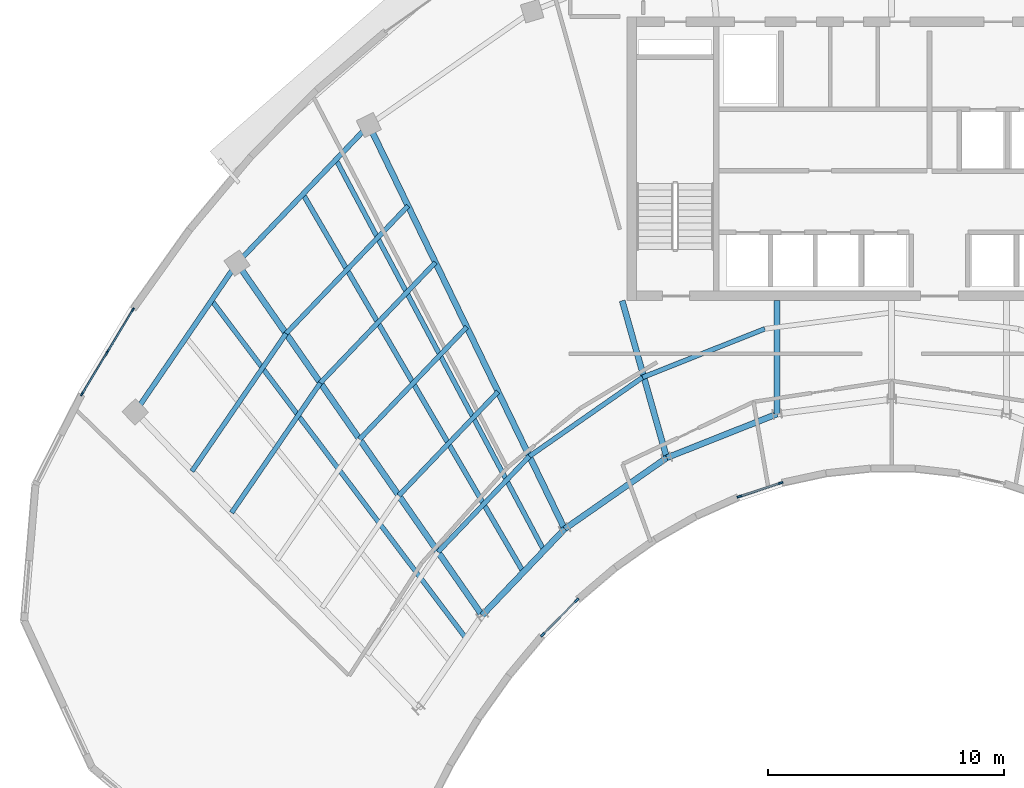
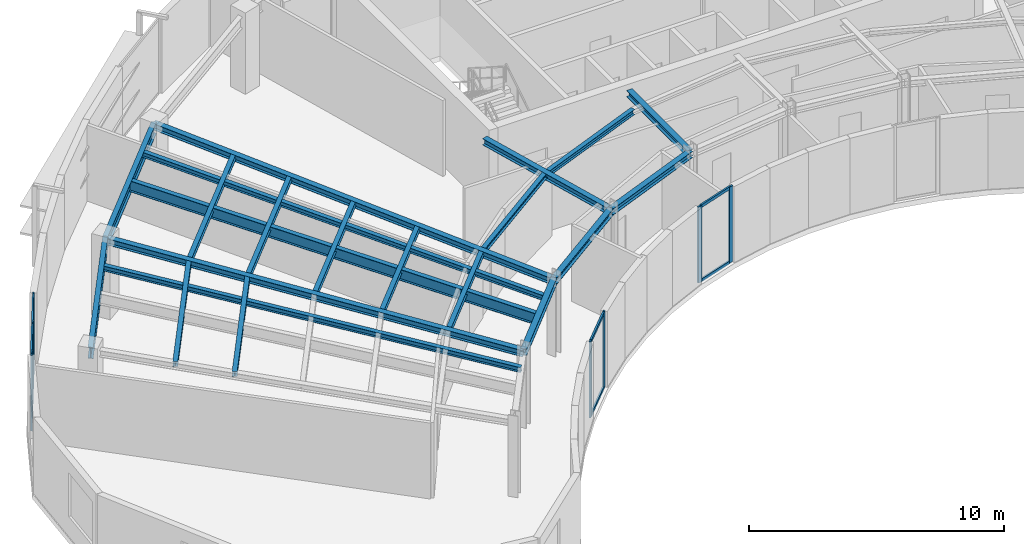
# One storey, part 2 of 13: 21 beams, 17 members, 3 elements without a shape of their own.
"""IFC4 building model written with IfcOpenShell, lengths in metres."""

from ifc_helpers import new_model, si_unit, direction, frame, origin, origin_2d, place, context, subcontext, project, spatial, rectangle, i_section, extrude, source, transform, mapped, material, layer, layer_set, material_profile, profile_set, type_object, type_shapes, element, aggregate, save


model = new_model("IFC4")

# Units and contexts
model_context = context("Model", 3, precision=1e-05, world=origin(), true_north=direction((0.0, 1.0)))
body_context = subcontext(model_context, "Body", "Model", "MODEL_VIEW")
ifc_project = project(units=[si_unit("LENGTHUNIT", "METRE"), si_unit("AREAUNIT", "SQUARE_METRE"), si_unit("VOLUMEUNIT", "CUBIC_METRE"), si_unit("PLANEANGLEUNIT", "RADIAN"), si_unit("MASSUNIT", "GRAM", prefix="KILO")], contexts=[model_context])

# Site, building, storey
site_placement = place(None, origin())
site = spatial("IfcSite", under=ifc_project, at=site_placement, CompositionType="ELEMENT")
building_placement = place(site_placement, origin())
building = spatial("IfcBuilding", under=site, at=building_placement, Name="Breltana Convention Tower", CompositionType="ELEMENT")
storey_placement = place(building_placement, frame((0.0, 0.0, 271.800048828125)))
storey = spatial("IfcBuildingStorey", under=building, at=storey_placement, Name="L66", CompositionType="ELEMENT", Elevation=271.800048828125)

# Beams
ifc_material_1 = material(Name="Steel ASTM A992 Grade 50", Category="steel")
ifc_material_profile_1 = material_profile(ifc_material_1, i_section(OverallWidth=0.201904296875, OverallDepth=0.2470703125, WebThickness=0.00732421875, FlangeThickness=0.010986328125, at=origin_2d()), Name="W10X33")
ifc_profile_set_1 = profile_set([ifc_material_profile_1], Name="Steel ASTM A992 Grade 50")
beam_type_1 = type_object("IfcBeamType", Name="BM-JSG-11", PredefinedType="JOIST", material=ifc_profile_set_1)
shared_shape_1 = source(origin(), body_context, "Body", "SweptSolid", [
    extrude(i_section(OverallWidth=0.201904296875, OverallDepth=0.2470703125, WebThickness=0.00732421875, FlangeThickness=0.010986328125, at=origin_2d()), origin(), (0.0, 0.0, 1.0), 6.654541015625),
])
beam_1_placement = place(storey_placement, frame((20.0791015625, 51.23095703125, 3.516357421875), z_axis=(0.564482668195, 0.82544492082, 0.0), x_axis=(-0.82544492082, 0.564482668195, 0.0)))
element("IfcBeam", 1, at=beam_1_placement, inside=storey, type_object=beam_type_1, Name="L66 Composite Floor Joist 01.4", PredefinedType="JOIST", context=body_context, shape_type="MappedRepresentation", body=[
    mapped(shared_shape_1, transform((0.0, 0.0, 0.0), scale=1.0)),
])
shared_shape_2 = source(origin(), body_context, "Body", "SweptSolid", [
    extrude(i_section(OverallWidth=0.201904296875, OverallDepth=0.2470703125, WebThickness=0.00732421875, FlangeThickness=0.010986328125, at=origin_2d()), origin(), (0.0, 0.0, 1.0), 17.9072265625),
])
beam_2_placement = place(storey_placement, frame((30.00390625, 45.907958984375, 3.516357421875), z_axis=(-0.601382105028, 0.798961553363, 0.0), x_axis=(-0.798961553363, -0.601382105028, 0.0)))
element("IfcBeam", 2, at=beam_2_placement, inside=storey, type_object=beam_type_1, Name="L66 Quarter-Bay Radial Trimmer 01", PredefinedType="JOIST", context=body_context, shape_type="MappedRepresentation", body=[
    mapped(shared_shape_2, transform((0.0, 0.0, 0.0), scale=1.0)),
])
shared_shape_3 = source(origin(), body_context, "Body", "SweptSolid", [
    extrude(i_section(OverallWidth=0.201904296875, OverallDepth=0.2470703125, WebThickness=0.00732421875, FlangeThickness=0.010986328125, at=origin_2d()), origin(), (0.0, 0.0, 1.0), 7.046142578125),
])
beam_3_placement = place(storey_placement, frame((23.83544921875, 56.723876953125, 3.516357421875), z_axis=(0.690722929904, 0.723119515782, 0.0), x_axis=(-0.723119515782, 0.690722929904, 0.0)))
element("IfcBeam", 3, at=beam_3_placement, inside=storey, type_object=beam_type_1, Name="L66 Composite Floor Joist 02.4", PredefinedType="JOIST", context=body_context, shape_type="MappedRepresentation", body=[
    mapped(shared_shape_3, transform((0.0, 0.0, 0.0), scale=1.0)),
])
ifc_material_profile_2 = material_profile(ifc_material_1, i_section(OverallWidth=0.2099609375, OverallDepth=0.537109375, WebThickness=0.010986328125, FlangeThickness=0.017333984375, at=origin_2d()), Name="W21X68")
ifc_profile_set_2 = profile_set([ifc_material_profile_2], Name="Steel ASTM A992 Grade 50")
beam_type_2 = type_object("IfcBeamType", Name="BM-JSG-04", PredefinedType="JOIST", material=ifc_profile_set_2)
shared_shape_4 = source(origin(), body_context, "Body", "SweptSolid", [
    extrude(i_section(OverallWidth=0.2099609375, OverallDepth=0.537109375, WebThickness=0.010986328125, FlangeThickness=0.017333984375, at=origin_2d()), origin(), (0.0, 0.0, 1.0), 18.50830078125),
])
beam_4_placement = place(storey_placement, frame((32.421630859375, 48.71875, 3.371337890625), z_axis=(-0.50368319637, 0.863888440537, 0.0), x_axis=(-0.863888440537, -0.50368319637, 0.0)))
element("IfcBeam", 4, at=beam_4_placement, inside=storey, type_object=beam_type_2, Name="L66 Mid-Bay Radial Trimmer 02", PredefinedType="JOIST", context=body_context, shape_type="MappedRepresentation", body=[
    mapped(shared_shape_4, transform((0.0, 0.0, 0.0), scale=1.0)),
])
shared_shape_5 = source(origin(), body_context, "Body", "SweptSolid", [
    extrude(i_section(OverallWidth=0.201904296875, OverallDepth=0.2470703125, WebThickness=0.00732421875, FlangeThickness=0.010986328125, at=origin_2d()), origin(), (0.0, 0.0, 1.0), 18.731689453125),
])
beam_5_placement = place(storey_placement, frame((33.2939453125, 49.6318359375, 3.516357421875), z_axis=(-0.469820250451, 0.882762104004, 0.0), x_axis=(-0.882762104004, -0.469820250451, 0.0)))
element("IfcBeam", 5, at=beam_5_placement, inside=storey, type_object=beam_type_1, Name="L66 Quarter-Bay Radial Trimmer 02", PredefinedType="JOIST", context=body_context, shape_type="MappedRepresentation", body=[
    mapped(shared_shape_5, transform((0.0, 0.0, 0.0), scale=1.0)),
])
ifc_material_profile_3 = material_profile(ifc_material_1, i_section(OverallWidth=0.214111328125, OverallDepth=0.549072265625, WebThickness=0.0146484375, FlangeThickness=0.023681640625, at=origin_2d()), Name="W21X93")
ifc_profile_set_3 = profile_set([ifc_material_profile_3], Name="Steel ASTM A992 Grade 50")
beam_type_3 = type_object("IfcBeamType", Name="BM-SP-W21X93", PredefinedType="SPANDREL", material=ifc_profile_set_3)
shared_shape_6 = source(origin(), body_context, "Body", "SweptSolid", [
    extrude(i_section(OverallWidth=0.214111328125, OverallDepth=0.549072265625, WebThickness=0.0146484375, FlangeThickness=0.023681640625, at=origin_2d()), origin(), (0.0, 0.0, 1.0), 7.625),
])
type_shapes(beam_type_3, [shared_shape_6])
beam_6_placement = place(storey_placement, frame((16.0068359375, 55.494384765625, 3.365478515625), z_axis=(0.564452031902, 0.825465870694, 0.0), x_axis=(-0.825465870694, 0.564452031902, 0.0)))
element("IfcBeam", 6, at=beam_6_placement, inside=storey, type_object=beam_type_3, Name="L66 Outer Spandrel Beam 01", PredefinedType="SPANDREL", context=body_context, shape_type="MappedRepresentation", body=[
    mapped(shared_shape_6, transform((0.0, 0.0, 0.0), scale=1.0)),
])
shared_shape_7 = source(origin(), body_context, "Body", "SweptSolid", [
    extrude(i_section(OverallWidth=0.214111328125, OverallDepth=0.549072265625, WebThickness=0.0146484375, FlangeThickness=0.023681640625, at=origin_2d()), origin(), (0.0, 0.0, 1.0), 8.073974609375),
])
beam_7_placement = place(storey_placement, frame((20.310791015625, 61.78857421875, 3.365478515625), z_axis=(0.69072885448, 0.723113856588, 0.0), x_axis=(-0.723113856588, 0.69072885448, 0.0)))
element("IfcBeam", 7, at=beam_7_placement, inside=storey, type_object=beam_type_3, Name="L66 Outer Spandrel Beam 02", PredefinedType="SPANDREL", context=body_context, shape_type="MappedRepresentation", body=[
    mapped(shared_shape_7, transform((0.0, 0.0, 0.0), scale=1.0)),
])
ifc_material_profile_4 = material_profile(ifc_material_1, i_section(OverallWidth=0.25390625, OverallDepth=0.305908203125, WebThickness=0.0087890625, FlangeThickness=0.0146484375, at=origin_2d()), Name="W12X53")
ifc_profile_set_4 = profile_set([ifc_material_profile_4], Name="Steel ASTM A992 Grade 50")
beam_type_4 = type_object("IfcBeamType", Name="BM-CN-W12X53", PredefinedType="BEAM", material=ifc_profile_set_4)
shared_shape_8 = source(origin(), body_context, "Body", "SweptSolid", [
    extrude(i_section(OverallWidth=0.25390625, OverallDepth=0.305908203125, WebThickness=0.0087890625, FlangeThickness=0.0146484375, at=origin_2d()), origin(), (0.0, 0.0, 1.0), 18.1484375),
])
beam_8_placement = place(storey_placement, frame((30.67724609375, 46.892333984375, 3.487060546875), z_axis=(-0.571207556098, 0.820805657788, 0.0), x_axis=(-0.820805657788, -0.571207556098, 0.0)))
element("IfcBeam", 8, at=beam_8_placement, inside=storey, type_object=beam_type_4, Name="L66 Radial Floor Girder R02", PredefinedType="BEAM", context=body_context, shape_type="MappedRepresentation", body=[
    mapped(shared_shape_8, transform((0.0, 0.0, 0.0), scale=1.0)),
])
shared_shape_9 = source(origin(), body_context, "Body", "SweptSolid", [
    extrude(i_section(OverallWidth=0.25390625, OverallDepth=0.305908203125, WebThickness=0.0087890625, FlangeThickness=0.0146484375, at=origin_2d()), origin(), (0.0, 0.0, 1.0), 18.982421875),
])
beam_9_placement = place(storey_placement, frame((34.166259765625, 50.544921875, 3.487060546875), z_axis=(-0.436118560343, 0.89988921614, 0.0), x_axis=(-0.89988921614, -0.436118560343, 0.0)))
element("IfcBeam", 9, at=beam_9_placement, inside=storey, type_object=beam_type_4, Name="L66 Radial Floor Girder R03", PredefinedType="BEAM", context=body_context, shape_type="MappedRepresentation", body=[
    mapped(shared_shape_9, transform((0.0, 0.0, 0.0), scale=1.0)),
])
shared_shape_10 = source(origin(), body_context, "Body", "SweptSolid", [
    extrude(i_section(OverallWidth=0.25390625, OverallDepth=0.305908203125, WebThickness=0.0087890625, FlangeThickness=0.0146484375, at=origin_2d()), origin(), (0.0, 0.0, 1.0), 6.904541015625),
])
beam_10_placement = place(storey_placement, frame((36.60009765625, 60.199951171875, 3.487060546875), z_axis=(0.273006781054, -0.962012108811, 0.0), x_axis=(0.962012108811, 0.273006781054, 0.0)))
element("IfcBeam", 10, at=beam_10_placement, inside=storey, type_object=beam_type_4, Name="L66 South Core Tie Girder R04", PredefinedType="BEAM", context=body_context, shape_type="MappedRepresentation", body=[
    mapped(shared_shape_10, transform((0.0, 0.0, 0.0), scale=1.0)),
])
shared_shape_11 = source(origin(), body_context, "Body", "SweptSolid", [
    extrude(i_section(OverallWidth=0.25390625, OverallDepth=0.305908203125, WebThickness=0.0087890625, FlangeThickness=0.0146484375, at=origin_2d()), origin(), (0.0, 0.0, 1.0), 4.789306640625),
])
beam_11_placement = place(storey_placement, frame((43.153564453125, 60.199951171875, 3.487060546875), z_axis=(0.0, -1.0, 0.0), x_axis=(1.0, 0.0, 0.0)))
element("IfcBeam", 11, at=beam_11_placement, inside=storey, type_object=beam_type_4, Name="L66 South Core Tie Girder R05", PredefinedType="BEAM", context=body_context, shape_type="MappedRepresentation", body=[
    mapped(shared_shape_11, transform((0.0, 0.0, 0.0), scale=1.0)),
])
shared_shape_12 = source(origin(), body_context, "Body", "SweptSolid", [
    extrude(i_section(OverallWidth=0.201904296875, OverallDepth=0.2470703125, WebThickness=0.00732421875, FlangeThickness=0.010986328125, at=origin_2d()), origin(), (0.0, 0.0, 1.0), 7.05419921875),
])
beam_12_placement = place(storey_placement, frame((18.40234375, 52.986572265625, 3.516357421875), z_axis=(0.564485382828, 0.825443064405, 0.0), x_axis=(-0.825443064405, 0.564485382828, 0.0)))
element("IfcBeam", 12, at=beam_12_placement, inside=storey, type_object=beam_type_1, Name="L66 Composite Floor Joist 01.5", PredefinedType="JOIST", context=body_context, shape_type="MappedRepresentation", body=[
    mapped(shared_shape_12, transform((0.0, 0.0, 0.0), scale=1.0)),
])
shared_shape_13 = source(origin(), body_context, "Body", "SweptSolid", [
    extrude(i_section(OverallWidth=0.25390625, OverallDepth=0.305908203125, WebThickness=0.0087890625, FlangeThickness=0.0146484375, at=origin_2d()), origin(), (0.0, 0.0, 1.0), 5.05126953125),
])
beam_13_placement = place(storey_placement, frame((30.67724609375, 46.892333984375, 3.487060546875), z_axis=(0.690729753845, 0.7231129975, 0.0), x_axis=(-0.7231129975, 0.690729753845, 0.0)))
element("IfcBeam", 13, at=beam_13_placement, inside=storey, type_object=beam_type_4, Name="L66 Inner Ring Beam 02", PredefinedType="BEAM", context=body_context, shape_type="MappedRepresentation", body=[
    mapped(shared_shape_13, transform((0.0, 0.0, 0.0), scale=1.0)),
])
shared_shape_14 = source(origin(), body_context, "Body", "SweptSolid", [
    extrude(i_section(OverallWidth=0.201904296875, OverallDepth=0.2470703125, WebThickness=0.00732421875, FlangeThickness=0.010986328125, at=origin_2d()), origin(), (0.0, 0.0, 1.0), 5.59521484375),
])
beam_14_placement = place(storey_placement, frame((28.811279296875, 49.57373046875, 3.516357421875), z_axis=(0.690711281401, 0.72313064224, 0.0), x_axis=(-0.72313064224, 0.690711281401, 0.0)))
element("IfcBeam", 14, at=beam_14_placement, inside=storey, type_object=beam_type_1, Name="L66 Composite Floor Joist 02.1", PredefinedType="JOIST", context=body_context, shape_type="MappedRepresentation", body=[
    mapped(shared_shape_14, transform((0.0, 0.0, 0.0), scale=1.0)),
])
shared_shape_15 = source(origin(), body_context, "Body", "SweptSolid", [
    extrude(i_section(OverallWidth=0.201904296875, OverallDepth=0.2470703125, WebThickness=0.00732421875, FlangeThickness=0.010986328125, at=origin_2d()), origin(), (0.0, 0.0, 1.0), 6.0791015625),
])
beam_15_placement = place(storey_placement, frame((27.152587890625, 51.95703125, 3.516357421875), z_axis=(0.690736468909, 0.723106583098, 0.0), x_axis=(-0.723106583098, 0.690736468909, 0.0)))
element("IfcBeam", 15, at=beam_15_placement, inside=storey, type_object=beam_type_1, Name="L66 Composite Floor Joist 02.2", PredefinedType="JOIST", context=body_context, shape_type="MappedRepresentation", body=[
    mapped(shared_shape_15, transform((0.0, 0.0, 0.0), scale=1.0)),
])
shared_shape_16 = source(origin(), body_context, "Body", "SweptSolid", [
    extrude(i_section(OverallWidth=0.201904296875, OverallDepth=0.2470703125, WebThickness=0.00732421875, FlangeThickness=0.010986328125, at=origin_2d()), origin(), (0.0, 0.0, 1.0), 6.562255859375),
])
beam_16_placement = place(storey_placement, frame((25.494140625, 54.340576171875, 3.516357421875), z_axis=(0.690719038213, 0.723123233101, 0.0), x_axis=(-0.723123233101, 0.690719038213, 0.0)))
element("IfcBeam", 16, at=beam_16_placement, inside=storey, type_object=beam_type_1, Name="L66 Composite Floor Joist 02.3", PredefinedType="JOIST", context=body_context, shape_type="MappedRepresentation", body=[
    mapped(shared_shape_16, transform((0.0, 0.0, 0.0), scale=1.0)),
])
shared_shape_17 = source(origin(), body_context, "Body", "SweptSolid", [
    extrude(i_section(OverallWidth=0.201904296875, OverallDepth=0.2470703125, WebThickness=0.00732421875, FlangeThickness=0.010986328125, at=origin_2d()), origin(), (0.0, 0.0, 1.0), 7.469482421875),
])
beam_17_placement = place(storey_placement, frame((22.38427734375, 58.809326171875, 3.516357421875), z_axis=(0.690708925898, 0.723132892133, 0.0), x_axis=(-0.723132892133, 0.690708925898, 0.0)))
element("IfcBeam", 17, at=beam_17_placement, inside=storey, type_object=beam_type_1, Name="L66 Composite Floor Joist 02.5", PredefinedType="JOIST", context=body_context, shape_type="MappedRepresentation", body=[
    mapped(shared_shape_17, transform((0.0, 0.0, 0.0), scale=1.0)),
])
shared_shape_18 = source(origin(), body_context, "Body", "SweptSolid", [
    extrude(i_section(OverallWidth=0.25390625, OverallDepth=0.305908203125, WebThickness=0.0087890625, FlangeThickness=0.0146484375, at=origin_2d()), origin(), (0.0, 0.0, 1.0), 5.265869140625),
])
beam_18_placement = place(storey_placement, frame((34.166259765625, 50.544921875, 3.487060546875), z_axis=(0.820167429517, 0.572123577176, 0.0), x_axis=(-0.572123577176, 0.820167429517, 0.0)))
element("IfcBeam", 18, at=beam_18_placement, inside=storey, type_object=beam_type_4, Name="L66 Inner Ring Beam 03", PredefinedType="BEAM", context=body_context, shape_type="MappedRepresentation", body=[
    mapped(shared_shape_18, transform((0.0, 0.0, 0.0), scale=1.0)),
])
shared_shape_19 = source(origin(), body_context, "Body", "SweptSolid", [
    extrude(i_section(OverallWidth=0.201904296875, OverallDepth=0.2470703125, WebThickness=0.00732421875, FlangeThickness=0.010986328125, at=origin_2d()), origin(), (0.0, 0.0, 1.0), 5.8330078125),
])
beam_19_placement = place(storey_placement, frame((32.676025390625, 53.619873046875, 3.516357421875), z_axis=(0.820198204115, 0.572079457739, 0.0), x_axis=(-0.572079457739, 0.820198204115, 0.0)))
element("IfcBeam", 19, at=beam_19_placement, inside=storey, type_object=beam_type_1, Name="L66 Composite Floor Joist 03.1", PredefinedType="JOIST", context=body_context, shape_type="MappedRepresentation", body=[
    mapped(shared_shape_19, transform((0.0, 0.0, 0.0), scale=1.0)),
])
shared_shape_20 = source(origin(), body_context, "Body", "SweptSolid", [
    extrude(i_section(OverallWidth=0.25390625, OverallDepth=0.305908203125, WebThickness=0.0087890625, FlangeThickness=0.0146484375, at=origin_2d()), origin(), (0.0, 0.0, 1.0), 5.022705078125),
])
beam_20_placement = place(storey_placement, frame((38.485107421875, 53.5576171875, 3.487060546875), z_axis=(0.929458966248, 0.368925507469, 0.0), x_axis=(-0.368925507469, 0.929458966248, 0.0)))
element("IfcBeam", 20, at=beam_20_placement, inside=storey, type_object=beam_type_4, Name="L66 Inner Ring Beam 04", PredefinedType="BEAM", context=body_context, shape_type="MappedRepresentation", body=[
    mapped(shared_shape_20, transform((0.0, 0.0, 0.0), scale=1.0)),
])
shared_shape_21 = source(origin(), body_context, "Body", "SweptSolid", [
    extrude(i_section(OverallWidth=0.201904296875, OverallDepth=0.2470703125, WebThickness=0.00732421875, FlangeThickness=0.010986328125, at=origin_2d()), origin(), (0.0, 0.0, 1.0), 5.563720703125),
])
beam_21_placement = place(storey_placement, frame((37.460205078125, 56.956787109375, 3.516357421875), z_axis=(0.929447960386, 0.368953234074, 0.0), x_axis=(-0.368953234074, 0.929447960386, 0.0)))
element("IfcBeam", 21, at=beam_21_placement, inside=storey, type_object=beam_type_1, Name="L66 Composite Floor Joist 04.1", PredefinedType="JOIST", context=body_context, shape_type="MappedRepresentation", body=[
    mapped(shared_shape_21, transform((0.0, 0.0, 0.0), scale=1.0)),
])

# Curtain wall, members
ifc_material_2 = material(Name="Aluminium Anodised Bronze Frame", Category="aluminium")
ifc_layer_1 = layer(ifc_material_2, 0.18994140625, Name="Aluminium Anodised Bronze Frame")
ifc_layer_set_1 = layer_set([ifc_layer_1], Name="Aluminium Anodised Bronze Frame")
curtain_wall_type_1 = type_object("IfcCurtainWallType", Name="CW-SYS-1", PredefinedType="NOTDEFINED", material=ifc_layer_set_1)
curtain_wall_1_placement = place(storey_placement, origin())
curtain_wall_1 = element("IfcCurtainWall", 22, at=curtain_wall_1_placement, inside=storey, type_object=curtain_wall_type_1, Name="L66 inner south-court glazing 4", PredefinedType="NOTDEFINED")
ifc_material_3 = material(Name="Aluminium Anodised Bronze", Category="aluminium")
ifc_material_profile_5 = material_profile(ifc_material_3, rectangle(XDim=0.080078125, YDim=0.199951171875, at=origin_2d()), Name="CWM-80X200")
ifc_profile_set_5 = profile_set([ifc_material_profile_5], Name="Aluminium Anodised Bronze")
member_type_1 = type_object("IfcMemberType", Name="CWM-200", PredefinedType="MULLION", material=ifc_profile_set_5)
shared_shape_22 = source(origin(), body_context, "Body", "SweptSolid", [
    extrude(rectangle(XDim=0.080078125, YDim=0.199951171875, at=origin_2d()), origin(), (0.0, 0.0, 1.0), 3.639892578125),
])
member_1_placement = place(storey_placement, frame((43.30029296875, 52.490966796875, 0.0), z_axis=(0.0, 0.0, 1.0), x_axis=(0.31315767808, -0.949701147025, 0.0)))
member_1 = element("IfcMember", 23, at=member_1_placement, type_object=member_type_1, Name="CW-01 mullion 1", PredefinedType="MULLION", context=body_context, shape_type="MappedRepresentation", body=[
    mapped(shared_shape_22, transform((0.0, 0.0, 0.0), scale=1.0)),
])
member_2_placement = place(storey_placement, frame((41.556396484375, 51.916015625, 0.0), z_axis=(0.0, 0.0, 1.0), x_axis=(0.31315767808, -0.949701147025, 0.0)))
member_2 = element("IfcMember", 24, at=member_2_placement, type_object=member_type_1, Name="CW-01 mullion 2", PredefinedType="MULLION", context=body_context, shape_type="MappedRepresentation", body=[
    mapped(shared_shape_22, transform((0.0, 0.0, 0.0), scale=1.0)),
])

curtain_wall_2_placement = place(storey_placement, origin())
curtain_wall_2 = element("IfcCurtainWall", 25, at=curtain_wall_2_placement, inside=storey, type_object=curtain_wall_type_1, Name="L66 inner south-court glazing 5", PredefinedType="NOTDEFINED")
member_3_placement = place(storey_placement, frame((34.677001953125, 47.53125, 0.0), z_axis=(0.0, 0.0, 1.0), x_axis=(0.711486765066, -0.702699497037, 0.0)))
member_3 = element("IfcMember", 26, at=member_3_placement, type_object=member_type_1, Name="CW-01 mullion 1", PredefinedType="MULLION", context=body_context, shape_type="MappedRepresentation", body=[
    mapped(shared_shape_22, transform((0.0, 0.0, 0.0), scale=1.0)),
])
member_4_placement = place(storey_placement, frame((33.23779296875, 46.07421875, 0.0), z_axis=(0.0, 0.0, 1.0), x_axis=(0.711486765066, -0.702699497037, 0.0)))
member_4 = element("IfcMember", 27, at=member_4_placement, type_object=member_type_1, Name="CW-01 mullion 2", PredefinedType="MULLION", context=body_context, shape_type="MappedRepresentation", body=[
    mapped(shared_shape_22, transform((0.0, 0.0, 0.0), scale=1.0)),
])

ifc_layer_2 = layer(ifc_material_2, 0.22998046875, Name="Aluminium Anodised Bronze Frame")
ifc_layer_set_2 = layer_set([ifc_layer_2], Name="Aluminium Anodised Bronze Frame")
curtain_wall_type_2 = type_object("IfcCurtainWallType", Name="CW-SYS-5", PredefinedType="NOTDEFINED", material=ifc_layer_set_2)
curtain_wall_3_placement = place(storey_placement, origin())
curtain_wall_3 = element("IfcCurtainWall", 28, at=curtain_wall_3_placement, inside=storey, type_object=curtain_wall_type_2, Name="L66 outer double-skin inner glazing 1", PredefinedType="NOTDEFINED")
ifc_material_profile_6 = material_profile(ifc_material_3, rectangle(XDim=0.070068359375, YDim=0.1201171875, at=origin_2d()), Name="CWT-70X120")
ifc_profile_set_6 = profile_set([ifc_material_profile_6], Name="Aluminium Anodised Bronze")
member_type_2 = type_object("IfcMemberType", Name="CWT-120", PredefinedType="USERDEFINED", material=ifc_profile_set_6)
shared_shape_23 = source(origin(), body_context, "Body", "SweptSolid", [
    extrude(rectangle(XDim=0.070068359375, YDim=0.1201171875, at=origin_2d()), origin(), (0.0, 0.0, 1.0), 2.00634765625),
])
member_5_placement = place(storey_placement, frame((13.775146484375, 56.287109375, 0.034912109375), z_axis=(0.516820301281, 0.856093906172, 0.0), x_axis=(-0.856093906172, 0.516820301281, 0.0)))
member_5 = element("IfcMember", 29, at=member_5_placement, type_object=member_type_2, Name="CW-05 transom 1.1", ObjectType="TRANSOM", PredefinedType="USERDEFINED", context=body_context, shape_type="MappedRepresentation", body=[
    mapped(shared_shape_23, transform((0.0, 0.0, 0.0), scale=1.0)),
])
member_6_placement = place(storey_placement, frame((13.775146484375, 56.287109375, 2.365966796875), z_axis=(0.516820301281, 0.856093906172, 0.0), x_axis=(-0.856093906172, 0.516820301281, 0.0)))
member_6 = element("IfcMember", 30, at=member_6_placement, type_object=member_type_2, Name="CW-05 transom 1.2", ObjectType="TRANSOM", PredefinedType="USERDEFINED", context=body_context, shape_type="MappedRepresentation", body=[
    mapped(shared_shape_23, transform((0.0, 0.0, 0.0), scale=1.0)),
])
member_7_placement = place(storey_placement, frame((13.775146484375, 56.287109375, 3.60498046875), z_axis=(0.516820301281, 0.856093906172, 0.0), x_axis=(-0.856093906172, 0.516820301281, 0.0)))
member_7 = element("IfcMember", 31, at=member_7_placement, type_object=member_type_2, Name="CW-05 transom 1.3", ObjectType="TRANSOM", PredefinedType="USERDEFINED", context=body_context, shape_type="MappedRepresentation", body=[
    mapped(shared_shape_23, transform((0.0, 0.0, 0.0), scale=1.0)),
])
member_8_placement = place(storey_placement, frame((14.84814453125, 58.064697265625, 0.034912109375), z_axis=(0.516909479571, 0.856040063273, 0.0), x_axis=(-0.856040063273, 0.516909479571, 0.0)))
member_8 = element("IfcMember", 32, at=member_8_placement, type_object=member_type_2, Name="CW-05 transom 2.1", ObjectType="TRANSOM", PredefinedType="USERDEFINED", context=body_context, shape_type="MappedRepresentation", body=[
    mapped(shared_shape_23, transform((0.0, 0.0, 0.0), scale=1.0)),
])
member_9_placement = place(storey_placement, frame((14.84814453125, 58.064697265625, 2.365966796875), z_axis=(0.516909479571, 0.856040063273, 0.0), x_axis=(-0.856040063273, 0.516909479571, 0.0)))
member_9 = element("IfcMember", 33, at=member_9_placement, type_object=member_type_2, Name="CW-05 transom 2.2", ObjectType="TRANSOM", PredefinedType="USERDEFINED", context=body_context, shape_type="MappedRepresentation", body=[
    mapped(shared_shape_23, transform((0.0, 0.0, 0.0), scale=1.0)),
])
member_10_placement = place(storey_placement, frame((14.84814453125, 58.064697265625, 3.60498046875), z_axis=(0.516909479571, 0.856040063273, 0.0), x_axis=(-0.856040063273, 0.516909479571, 0.0)))
member_10 = element("IfcMember", 34, at=member_10_placement, type_object=member_type_2, Name="CW-05 transom 2.3", ObjectType="TRANSOM", PredefinedType="USERDEFINED", context=body_context, shape_type="MappedRepresentation", body=[
    mapped(shared_shape_23, transform((0.0, 0.0, 0.0), scale=1.0)),
])

# Member
ifc_material_profile_7 = material_profile(ifc_material_3, rectangle(XDim=0.080078125, YDim=0.139892578125, at=origin_2d()), Name="CWT-80X140")
ifc_profile_set_7 = profile_set([ifc_material_profile_7], Name="Aluminium Anodised Bronze")
member_type_3 = type_object("IfcMemberType", Name="CWT-140", PredefinedType="USERDEFINED", material=ifc_profile_set_7)
shared_shape_24 = source(origin(), body_context, "Body", "SweptSolid", [
    extrude(rectangle(XDim=0.080078125, YDim=0.139892578125, at=origin_2d()), origin(), (0.0, 0.0, 1.0), 1.75634765625),
])
member_11_placement = place(storey_placement, frame((43.26220703125, 52.478515625, 0.0400390625), z_axis=(-0.949693161931, -0.313181893125, 0.0), x_axis=(0.313181893125, -0.949693161931, 0.0)))
member_11 = element("IfcMember", 35, at=member_11_placement, type_object=member_type_3, Name="CW-01 transom 1.1", ObjectType="TRANSOM", PredefinedType="USERDEFINED", context=body_context, shape_type="MappedRepresentation", body=[
    mapped(shared_shape_24, transform((0.0, 0.0, 0.0), scale=1.0)),
])

member_12_placement = place(storey_placement, frame((43.26220703125, 52.478515625, 3.599853515625), z_axis=(-0.949693161931, -0.313181893125, 0.0), x_axis=(0.313181893125, -0.949693161931, 0.0)))
member_12 = element("IfcMember", 36, at=member_12_placement, type_object=member_type_3, Name="CW-01 transom 1.2", ObjectType="TRANSOM", PredefinedType="USERDEFINED", context=body_context, shape_type="MappedRepresentation", body=[
    mapped(shared_shape_24, transform((0.0, 0.0, 0.0), scale=1.0)),
])

aggregate(curtain_wall_1, [member_1, member_2, member_11, member_12])

shared_shape_25 = source(origin(), body_context, "Body", "SweptSolid", [
    extrude(rectangle(XDim=0.080078125, YDim=0.139892578125, at=origin_2d()), origin(), (0.0, 0.0, 1.0), 1.968017578125),
])
member_13_placement = place(storey_placement, frame((34.648681640625, 47.5029296875, 0.0400390625), z_axis=(-0.702626830151, -0.711558527144, 0.0), x_axis=(0.711558527144, -0.702626830151, 0.0)))
member_13 = element("IfcMember", 37, at=member_13_placement, type_object=member_type_3, Name="CW-01 transom 1.1", ObjectType="TRANSOM", PredefinedType="USERDEFINED", context=body_context, shape_type="MappedRepresentation", body=[
    mapped(shared_shape_25, transform((0.0, 0.0, 0.0), scale=1.0)),
])

member_14_placement = place(storey_placement, frame((34.648681640625, 47.5029296875, 3.599853515625), z_axis=(-0.702626830151, -0.711558527144, 0.0), x_axis=(0.711558527144, -0.702626830151, 0.0)))
member_14 = element("IfcMember", 38, at=member_14_placement, type_object=member_type_3, Name="CW-01 transom 1.2", ObjectType="TRANSOM", PredefinedType="USERDEFINED", context=body_context, shape_type="MappedRepresentation", body=[
    mapped(shared_shape_25, transform((0.0, 0.0, 0.0), scale=1.0)),
])

aggregate(curtain_wall_2, [member_3, member_4, member_13, member_14])

ifc_material_profile_8 = material_profile(ifc_material_3, rectangle(XDim=0.070068359375, YDim=0.175048828125, at=origin_2d()), Name="CWM-70X175")
ifc_profile_set_8 = profile_set([ifc_material_profile_8], Name="Aluminium Anodised Bronze")
member_type_4 = type_object("IfcMemberType", Name="CWM-175", PredefinedType="MULLION", material=ifc_profile_set_8)
shared_shape_26 = source(origin(), body_context, "Body", "SweptSolid", [
    extrude(rectangle(XDim=0.070068359375, YDim=0.175048828125, at=origin_2d()), origin(), (0.0, 0.0, 1.0), 3.639892578125),
])
member_15_placement = place(storey_placement, frame((13.757080078125, 56.25732421875, 0.0), z_axis=(0.0, 0.0, 1.0), x_axis=(-0.85606662011, 0.516865496947, 0.0)))
member_15 = element("IfcMember", 39, at=member_15_placement, type_object=member_type_4, Name="CW-05 mullion 1", PredefinedType="MULLION", context=body_context, shape_type="MappedRepresentation", body=[
    mapped(shared_shape_26, transform((0.0, 0.0, 0.0), scale=1.0)),
])

member_16_placement = place(storey_placement, frame((14.830078125, 58.03466796875, 0.0), z_axis=(0.0, 0.0, 1.0), x_axis=(-0.85606662011, 0.516865496947, 0.0)))
member_16 = element("IfcMember", 40, at=member_16_placement, type_object=member_type_4, Name="CW-05 mullion 2", PredefinedType="MULLION", context=body_context, shape_type="MappedRepresentation", body=[
    mapped(shared_shape_26, transform((0.0, 0.0, 0.0), scale=1.0)),
])

member_17_placement = place(storey_placement, frame((15.9033203125, 59.812255859375, 0.0), z_axis=(0.0, 0.0, 1.0), x_axis=(-0.85606662011, 0.516865496947, 0.0)))
member_17 = element("IfcMember", 41, at=member_17_placement, type_object=member_type_4, Name="CW-05 mullion 3", PredefinedType="MULLION", context=body_context, shape_type="MappedRepresentation", body=[
    mapped(shared_shape_26, transform((0.0, 0.0, 0.0), scale=1.0)),
])

aggregate(curtain_wall_3, [member_15, member_16, member_17, member_5, member_6, member_7, member_8, member_9, member_10])

save(model, "model.ifc")
